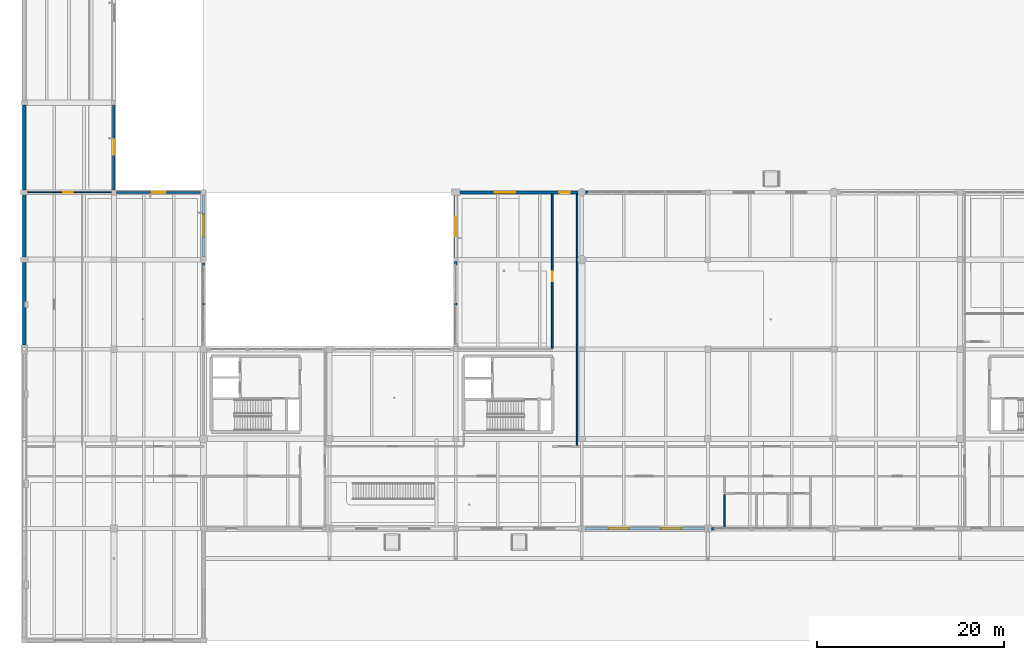
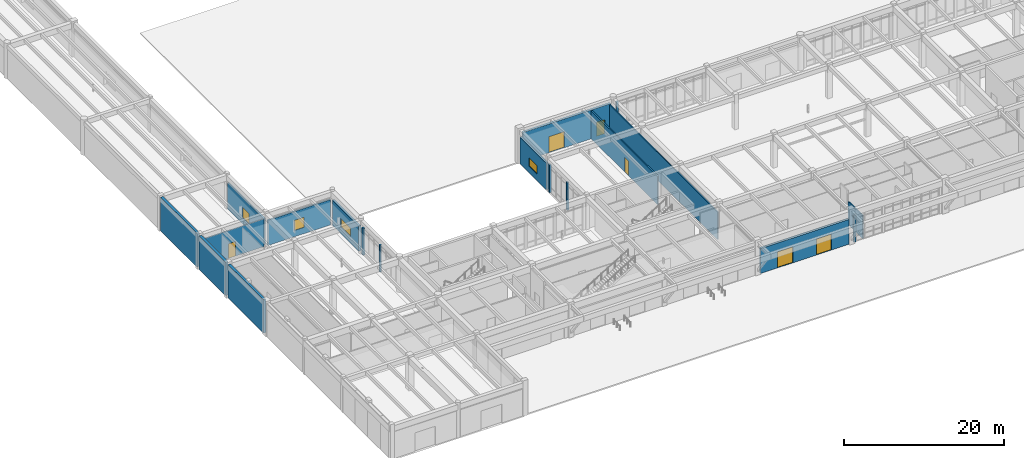
# One storey, part 109 of 138: 19 walls, 6 doors, 4 windows, 10 openings.
"""IFC4 building model written with IfcOpenShell, lengths in metres."""

from ifc_helpers import new_model, si_unit, direction, frame, frame_2d, origin, place, context, subcontext, project, spatial, rectangle, extrude, material, layer, layer_set, type_object, element, fill, save


model = new_model("IFC4")

# Units and contexts
model_context = context("Model", 3, precision=1e-05, world=origin(), true_north=direction((0.0, 1.0)))
body_context = subcontext(model_context, "Body", "Model", "MODEL_VIEW")
ifc_project = project(units=[si_unit("LENGTHUNIT", "METRE"), si_unit("AREAUNIT", "SQUARE_METRE"), si_unit("VOLUMEUNIT", "CUBIC_METRE"), si_unit("PLANEANGLEUNIT", "RADIAN"), si_unit("MASSUNIT", "GRAM", prefix="KILO")], contexts=[model_context])

# Site, building, storey
site_placement = place(None, origin())
site = spatial("IfcSite", under=ifc_project, at=site_placement, CompositionType="ELEMENT")
building_placement = place(site_placement, origin())
building = spatial("IfcBuilding", under=site, at=building_placement, Name="Fikremerkos Civic Library", CompositionType="ELEMENT")
storey_placement = place(building_placement, origin())
storey = spatial("IfcBuildingStorey", under=building, at=storey_placement, Name="L00", CompositionType="ELEMENT", Elevation=0.0)

# Walls
ifc_material_1 = material(Name="Concrete C40/50", Category="concrete")
ifc_layer_1 = layer(ifc_material_1, 0.35009765625, Name="Concrete C40/50")
ifc_layer_set_1 = layer_set([ifc_layer_1], Name="Concrete C40/50")
wall_type_1 = type_object("IfcWallType", Name="Exterior solid wall ESW-01 350", PredefinedType="SOLIDWALL", material=ifc_layer_set_1)
wall_1_placement = place(storey_placement, frame((0.0, 31.64794921875, 0.0), z_axis=(0.0, 0.0, 1.0), x_axis=(0.0, 1.0, 0.0)))
element("IfcWall", 1, at=wall_1_placement, inside=storey, type_object=wall_type_1, Name="Party boundary wall ESW-01 L00 #189", PredefinedType="SOLIDWALL", context=body_context, shape_type="SweptSolid", body=[
    extrude(rectangle(XDim=8.85400390625, YDim=0.35009765625, at=frame_2d((4.427001953125, 0.0))), origin(), (0.0, 0.0, 1.0), 5.10009765625),
])
wall_2_placement = place(storey_placement, frame((0.0, 41.097900390625, 0.0), z_axis=(0.0, 0.0, 1.0), x_axis=(0.0, 1.0, 0.0)))
element("IfcWall", 2, at=wall_2_placement, inside=storey, type_object=wall_type_1, Name="Party boundary wall ESW-01 L00 #190", PredefinedType="SOLIDWALL", context=body_context, shape_type="SweptSolid", body=[
    extrude(rectangle(XDim=6.629150390625, YDim=0.35009765625, at=frame_2d((3.314453125, 0.0))), origin(), (0.0, 0.0, 1.0), 5.10009765625),
])
wall_3_placement = place(storey_placement, frame((0.0, 48.27294921875, 0.0), z_axis=(0.0, 0.0, 1.0), x_axis=(0.0, 1.0, 0.0)))
element("IfcWall", 3, at=wall_3_placement, inside=storey, type_object=wall_type_1, Name="Party boundary wall ESW-01 L00 #191", PredefinedType="SOLIDWALL", context=body_context, shape_type="SweptSolid", body=[
    extrude(rectangle(XDim=9.0791015625, YDim=0.35009765625, at=frame_2d((4.53955078125, 0.0))), origin(), (0.0, 0.0, 1.0), 5.159912109375),
])

# Wall, openings, doors
ifc_material_2 = material(Name="Precast concrete C40/50", Category="concrete")
ifc_layer_2 = layer(ifc_material_2, 0.320068359375, Name="Precast concrete C40/50")
ifc_layer_set_2 = layer_set([ifc_layer_2], Name="Precast concrete C40/50")
wall_type_2 = type_object("IfcWallType", Name="Exterior solid wall ESW-02 320", PredefinedType="SOLIDWALL", material=ifc_layer_set_2)
wall_4_placement = place(storey_placement, frame((72.826904296875, 12.0, 0.0), z_axis=(0.0, 0.0, 1.0), x_axis=(-1.0, 0.0, 0.0)))
wall_4 = element("IfcWall", 4, at=wall_4_placement, inside=storey, type_object=wall_type_2, Name="Exterior ground wall ESW-02 #173", PredefinedType="SOLIDWALL", context=body_context, shape_type="SweptSolid", body=[
    extrude(rectangle(XDim=12.72900390625, YDim=0.320068359375, at=frame_2d((6.364501953125, 0.0))), origin(), (0.0, 0.0, 1.0), 3.7900390625),
])
opening_1_placement = place(wall_4_placement, frame((2.464111328125, 0.0, 0.0)))
opening_1 = element("IfcOpeningElement", 5, at=opening_1_placement, cuts=wall_4, Name="Opening D005", PredefinedType="OPENING", context=body_context, shape_type="SweptSolid", body=[
    extrude(rectangle(XDim=2.199951171875, YDim=2.449951171875, at=frame_2d((1.10009765625, 1.22509765625))), frame((0.0, 0.169921875, 0.0), z_axis=(0.0, -1.0, 0.0), x_axis=(1.0, 0.0, 0.0)), (0.0, 0.0, 1.0), 0.340087890625),
])
opening_2_placement = place(wall_4_placement, frame((8.06494140625, 0.0, 0.0)))
opening_2 = element("IfcOpeningElement", 6, at=opening_2_placement, cuts=wall_4, Name="Opening D006", PredefinedType="OPENING", context=body_context, shape_type="SweptSolid", body=[
    extrude(rectangle(XDim=2.199951171875, YDim=2.449951171875, at=frame_2d((1.10009765625, 1.22509765625))), frame((0.0, 0.169921875, 0.0), z_axis=(0.0, -1.0, 0.0), x_axis=(1.0, 0.0, 0.0)), (0.0, 0.0, 1.0), 0.340087890625),
])
ifc_material_3 = material(Name="Thermally broken bronze aluminium and glass", Category="aluminium")
door_type_1 = type_object("IfcDoorType", Name="Pedestrian door DT-10 2200x2450", OperationType="NOTDEFINED", PredefinedType="DOOR", material=ifc_material_3)
door_1_placement = place(opening_1_placement, origin())
door_1 = element("IfcDoor", 7, at=door_1_placement, inside=storey, type_object=door_type_1, Name="Ground final exit pedestrian door D005", OperationType="SINGLE_SWING_LEFT", OverallHeight=2.449951171875, OverallWidth=2.199951171875, PredefinedType="DOOR", context=body_context, shape_type="SweptSolid", body=[
    extrude(rectangle(XDim=2.199951171875, YDim=2.449951171875, at=frame_2d((1.10009765625, 1.22509765625))), frame((0.0, 0.032470703125, 0.0), z_axis=(0.0, -1.0, 0.0), x_axis=(1.0, 0.0, 0.0)), (0.0, 0.0, 1.0), 0.06494140625),
])
fill(opening_1, door_1)
door_2_placement = place(opening_2_placement, origin())
door_2 = element("IfcDoor", 8, at=door_2_placement, inside=storey, type_object=door_type_1, Name="Ground final exit pedestrian door D006", OperationType="SINGLE_SWING_RIGHT", OverallHeight=2.449951171875, OverallWidth=2.199951171875, PredefinedType="DOOR", context=body_context, shape_type="SweptSolid", body=[
    extrude(rectangle(XDim=2.199951171875, YDim=2.449951171875, at=frame_2d((1.10009765625, 1.22509765625))), frame((0.0, 0.032470703125, 0.0), z_axis=(0.0, -1.0, 0.0), x_axis=(1.0, 0.0, 0.0)), (0.0, 0.0, 1.0), 0.06494140625),
])
fill(opening_2, door_2)

# Wall, opening, window
wall_5_placement = place(storey_placement, frame((19.199951171875, 47.701904296875, 0.0), z_axis=(0.0, 0.0, 1.0), x_axis=(0.0, -1.0, 0.0)))
wall_5 = element("IfcWall", 9, at=wall_5_placement, inside=storey, type_object=wall_type_2, Name="Exterior solid wall ESW-02 L00 #201", PredefinedType="SOLIDWALL", context=body_context, shape_type="SweptSolid", body=[
    extrude(rectangle(XDim=6.553955078125, YDim=0.320068359375, at=frame_2d((3.27685546875, 0.0))), origin(), (0.0, 0.0, 1.0), 3.85009765625),
])
opening_3_placement = place(wall_5_placement, frame((2.076904296875, 0.0, 0.949951171875)))
opening_3 = element("IfcOpeningElement", 10, at=opening_3_placement, cuts=wall_5, Name="Opening CWND-07", PredefinedType="OPENING", context=body_context, shape_type="SweptSolid", body=[
    extrude(rectangle(XDim=2.39990234375, YDim=1.35009765625, at=frame_2d((1.199951171875, 0.675048828125))), frame((0.0, 0.169921875, 0.0), z_axis=(0.0, -1.0, 0.0), x_axis=(1.0, 0.0, 0.0)), (0.0, 0.0, 1.0), 0.340087890625),
])
ifc_material_4 = material(Name="Solar control double glazing", Category="glass")
window_type_1 = type_object("IfcWindowType", Name="Courtyard window CWND-07 2400x1350", PartitioningType="SINGLE_PANEL", PredefinedType="WINDOW", material=ifc_material_4)
window_1_placement = place(opening_3_placement, origin())
window_1 = element("IfcWindow", 11, at=window_1_placement, inside=storey, type_object=window_type_1, Name="Courtyard window CWND-07 L00 #7", OverallHeight=1.35009765625, OverallWidth=2.39990234375, PartitioningType="SINGLE_PANEL", PredefinedType="WINDOW", context=body_context, shape_type="SweptSolid", body=[
    extrude(rectangle(XDim=2.39990234375, YDim=1.35009765625, at=frame_2d((1.199951171875, 0.675048828125))), frame((0.0, 0.032470703125, 0.0), z_axis=(0.0, -1.0, 0.0), x_axis=(1.0, 0.0, 0.0)), (0.0, 0.0, 1.0), 0.06494140625),
])
fill(opening_3, window_1)

wall_6_placement = place(storey_placement, frame((46.199951171875, 41.02294921875, 0.0), z_axis=(0.0, 0.0, 1.0), x_axis=(0.0, 1.0, 0.0)))
wall_6 = element("IfcWall", 12, at=wall_6_placement, inside=storey, type_object=wall_type_2, Name="Exterior solid wall ESW-02 L00 #216", PredefinedType="SOLIDWALL", context=body_context, shape_type="SweptSolid", body=[
    extrude(rectangle(XDim=6.629150390625, YDim=0.320068359375, at=frame_2d((3.314453125, 0.0))), origin(), (0.0, 0.0, 1.0), 4.050048828125),
])
opening_4_placement = place(wall_6_placement, frame((2.264404296875, 0.0, 0.949951171875)))
opening_4 = element("IfcOpeningElement", 13, at=opening_4_placement, cuts=wall_6, Name="Opening CWND-08", PredefinedType="OPENING", context=body_context, shape_type="SweptSolid", body=[
    extrude(rectangle(XDim=2.10009765625, YDim=1.35009765625, at=frame_2d((1.050048828125, 0.675048828125))), frame((0.0, 0.169921875, 0.0), z_axis=(0.0, -1.0, 0.0), x_axis=(1.0, 0.0, 0.0)), (0.0, 0.0, 1.0), 0.340087890625),
])
window_type_2 = type_object("IfcWindowType", Name="Courtyard window CWND-08 2100x1350", PartitioningType="SINGLE_PANEL", PredefinedType="WINDOW", material=ifc_material_4)
window_2_placement = place(opening_4_placement, origin())
window_2 = element("IfcWindow", 14, at=window_2_placement, inside=storey, type_object=window_type_2, Name="Courtyard window CWND-08 L00 #8", OverallHeight=1.35009765625, OverallWidth=2.10009765625, PartitioningType="SINGLE_PANEL", PredefinedType="WINDOW", context=body_context, shape_type="SweptSolid", body=[
    extrude(rectangle(XDim=2.10009765625, YDim=1.35009765625, at=frame_2d((1.050048828125, 0.675048828125))), frame((0.0, 0.032470703125, 0.0), z_axis=(0.0, -1.0, 0.0), x_axis=(1.0, 0.0, 0.0)), (0.0, 0.0, 1.0), 0.06494140625),
])
fill(opening_4, window_2)

# Wall, openings, doors
wall_7_placement = place(storey_placement, frame((46.64794921875, 48.0, 0.0), z_axis=(0.0, 0.0, 1.0), x_axis=(1.0, 0.0, 0.0)))
wall_7 = element("IfcWall", 15, at=wall_7_placement, inside=storey, type_object=wall_type_2, Name="Exterior ground wall ESW-02 #217", PredefinedType="SOLIDWALL", context=body_context, shape_type="SweptSolid", body=[
    extrude(rectangle(XDim=12.654052734375, YDim=0.320068359375, at=frame_2d((6.3271484375, 0.0))), origin(), (0.0, 0.0, 1.0), 4.389892578125),
])
opening_5_placement = place(wall_7_placement, frame((3.751953125, 0.0, 0.0)))
opening_5 = element("IfcOpeningElement", 16, at=opening_5_placement, cuts=wall_7, Name="Opening D013", PredefinedType="OPENING", context=body_context, shape_type="SweptSolid", body=[
    extrude(rectangle(XDim=2.199951171875, YDim=2.449951171875, at=frame_2d((1.10009765625, 1.22509765625))), frame((0.0, 0.169921875, 0.0), z_axis=(0.0, -1.0, 0.0), x_axis=(1.0, 0.0, 0.0)), (0.0, 0.0, 1.0), 0.340087890625),
])
opening_6_placement = place(wall_7_placement, frame((10.656982421875, 0.0, 0.0)))
opening_6 = element("IfcOpeningElement", 17, at=opening_6_placement, cuts=wall_7, Name="Opening D014", PredefinedType="OPENING", context=body_context, shape_type="SweptSolid", body=[
    extrude(rectangle(XDim=1.14990234375, YDim=2.14990234375, at=frame_2d((0.574951171875, 1.074951171875))), frame((0.0, 0.169921875, 0.0), z_axis=(0.0, -1.0, 0.0), x_axis=(1.0, 0.0, 0.0)), (0.0, 0.0, 1.0), 0.340087890625),
])
door_3_placement = place(opening_5_placement, origin())
door_3 = element("IfcDoor", 18, at=door_3_placement, inside=storey, type_object=door_type_1, Name="Ground final exit pedestrian door D013", OperationType="SINGLE_SWING_LEFT", OverallHeight=2.449951171875, OverallWidth=2.199951171875, PredefinedType="DOOR", context=body_context, shape_type="SweptSolid", body=[
    extrude(rectangle(XDim=2.199951171875, YDim=2.449951171875, at=frame_2d((1.10009765625, 1.22509765625))), frame((0.0, 0.032470703125, 0.0), z_axis=(0.0, -1.0, 0.0), x_axis=(1.0, 0.0, 0.0)), (0.0, 0.0, 1.0), 0.06494140625),
])
fill(opening_5, door_3)
door_type_2 = type_object("IfcDoorType", Name="Pedestrian door DT-14 1150x2150", OperationType="NOTDEFINED", PredefinedType="DOOR", material=ifc_material_3)
door_4_placement = place(opening_6_placement, origin())
door_4 = element("IfcDoor", 19, at=door_4_placement, inside=storey, type_object=door_type_2, Name="Core K3 final exit discharge door D014", OperationType="SINGLE_SWING_RIGHT", OverallHeight=2.14990234375, OverallWidth=1.14990234375, PredefinedType="DOOR", context=body_context, shape_type="SweptSolid", body=[
    extrude(rectangle(XDim=1.14990234375, YDim=2.14990234375, at=frame_2d((0.574951171875, 1.074951171875))), frame((0.0, 0.032470703125, 0.0), z_axis=(0.0, -1.0, 0.0), x_axis=(1.0, 0.0, 0.0)), (0.0, 0.0, 1.0), 0.06494140625),
])
fill(opening_6, door_4)

# Wall
ifc_layer_3 = layer(ifc_material_2, 0.25, Name="Precast concrete C40/50")
ifc_layer_set_3 = layer_set([ifc_layer_3], Name="Precast concrete C40/50")
wall_type_3 = type_object("IfcWallType", Name="Exterior solid wall ESW-05 250", PredefinedType="SOLIDWALL", material=ifc_layer_set_3)
wall_8_placement = place(storey_placement, frame((73.923095703125, 12.0, 0.0), z_axis=(0.0, 0.0, 1.0), x_axis=(-1.0, 0.0, 0.0)))
element("IfcWall", 20, at=wall_8_placement, inside=storey, type_object=wall_type_3, Name="Exterior facade pier ESW-05 #170", PredefinedType="SOLIDWALL", context=body_context, shape_type="SweptSolid", body=[
    extrude(rectangle(XDim=0.35009765625, YDim=0.25, at=frame_2d((0.175048828125, 0.0))), origin(), (0.0, 0.0, 1.0), 4.1201171875),
])

# Wall, opening, window
wall_9_placement = place(storey_placement, frame((9.60009765625, 57.35205078125, 0.0), z_axis=(0.0, 0.0, 1.0), x_axis=(0.0, -1.0, 0.0)))
wall_9 = element("IfcWall", 21, at=wall_9_placement, inside=storey, type_object=wall_type_3, Name="Exterior solid wall ESW-05 L00 #199", PredefinedType="SOLIDWALL", context=body_context, shape_type="SweptSolid", body=[
    extrude(rectangle(XDim=9.0791015625, YDim=0.25, at=frame_2d((4.53955078125, 0.0))), origin(), (0.0, 0.0, 1.0), 3.949951171875),
])
opening_7_placement = place(wall_9_placement, frame((3.739501953125, 0.0, 0.949951171875)))
opening_7 = element("IfcOpeningElement", 22, at=opening_7_placement, cuts=wall_9, Name="Opening CWND-05", PredefinedType="OPENING", context=body_context, shape_type="SweptSolid", body=[
    extrude(rectangle(XDim=1.60009765625, YDim=1.550048828125, at=frame_2d((0.800048828125, 0.77490234375))), frame((0.0, 0.135009765625, 0.0), z_axis=(0.0, -1.0, 0.0), x_axis=(1.0, 0.0, 0.0)), (0.0, 0.0, 1.0), 0.27001953125),
])
window_type_3 = type_object("IfcWindowType", Name="Courtyard window CWND-05 1600x1550", PartitioningType="SINGLE_PANEL", PredefinedType="WINDOW", material=ifc_material_4)
window_3_placement = place(opening_7_placement, origin())
window_3 = element("IfcWindow", 23, at=window_3_placement, inside=storey, type_object=window_type_3, Name="Courtyard window CWND-05 L00 #5", OverallHeight=1.550048828125, OverallWidth=1.60009765625, PartitioningType="SINGLE_PANEL", PredefinedType="WINDOW", context=body_context, shape_type="SweptSolid", body=[
    extrude(rectangle(XDim=1.60009765625, YDim=1.550048828125, at=frame_2d((0.800048828125, 0.77490234375))), frame((0.0, 0.032470703125, 0.0), z_axis=(0.0, -1.0, 0.0), x_axis=(1.0, 0.0, 0.0)), (0.0, 0.0, 1.0), 0.06494140625),
])
fill(opening_7, window_3)

# Walls
wall_10_placement = place(storey_placement, frame((19.199951171875, 40.451904296875, 0.0), z_axis=(0.0, 0.0, 1.0), x_axis=(0.0, -1.0, 0.0)))
element("IfcWall", 24, at=wall_10_placement, inside=storey, type_object=wall_type_3, Name="Exterior facade pier ESW-05 #202", PredefinedType="SOLIDWALL", context=body_context, shape_type="SweptSolid", body=[
    extrude(rectangle(XDim=0.349853515625, YDim=0.25, at=frame_2d((0.1748046875, 0.0))), origin(), (0.0, 0.0, 1.0), 4.070068359375),
])
wall_11_placement = place(storey_placement, frame((19.199951171875, 36.175048828125, 0.0), z_axis=(0.0, 0.0, 1.0), x_axis=(0.0, -1.0, 0.0)))
element("IfcWall", 25, at=wall_11_placement, inside=storey, type_object=wall_type_3, Name="Exterior facade mullion pier ESW-05 #204", PredefinedType="SOLIDWALL", context=body_context, shape_type="SweptSolid", body=[
    extrude(rectangle(XDim=0.300048828125, YDim=0.25, at=frame_2d((0.14990234375, 0.0))), origin(), (0.0, 0.0, 1.0), 4.070068359375),
])
wall_12_placement = place(storey_placement, frame((46.199951171875, 40.22705078125, 0.0), z_axis=(0.0, 0.0, 1.0), x_axis=(0.0, 1.0, 0.0)))
element("IfcWall", 26, at=wall_12_placement, inside=storey, type_object=wall_type_3, Name="Exterior facade pier ESW-05 #214", PredefinedType="SOLIDWALL", context=body_context, shape_type="SweptSolid", body=[
    extrude(rectangle(XDim=0.349853515625, YDim=0.25, at=frame_2d((0.1748046875, 0.0))), origin(), (0.0, 0.0, 1.0), 4.219970703125),
])
wall_13_placement = place(storey_placement, frame((46.199951171875, 35.862548828125, 0.0), z_axis=(0.0, 0.0, 1.0), x_axis=(0.0, 1.0, 0.0)))
element("IfcWall", 27, at=wall_13_placement, inside=storey, type_object=wall_type_3, Name="Exterior facade mullion pier ESW-05 #215", PredefinedType="SOLIDWALL", context=body_context, shape_type="SweptSolid", body=[
    extrude(rectangle(XDim=0.300048828125, YDim=0.25, at=frame_2d((0.14990234375, 0.0))), origin(), (0.0, 0.0, 1.0), 4.219970703125),
])
wall_14_placement = place(storey_placement, frame((60.097900390625, 48.0, 0.0), z_axis=(0.0, 0.0, 1.0), x_axis=(1.0, 0.0, 0.0)))
element("IfcWall", 28, at=wall_14_placement, inside=storey, type_object=wall_type_3, Name="Exterior facade pier ESW-05 #218", PredefinedType="SOLIDWALL", context=body_context, shape_type="SweptSolid", body=[
    extrude(rectangle(XDim=0.35009765625, YDim=0.25, at=frame_2d((0.175048828125, 0.0))), origin(), (0.0, 0.0, 1.0), 4.2900390625),
])

# Wall, opening, window
ifc_layer_4 = layer(ifc_material_2, 0.219970703125, Name="Precast concrete C40/50")
ifc_layer_set_4 = layer_set([ifc_layer_4], Name="Precast concrete C40/50")
wall_type_4 = type_object("IfcWallType", Name="Exterior solid wall ESW-06 220", PredefinedType="SOLIDWALL", material=ifc_layer_set_4)
wall_15_placement = place(storey_placement, frame((9.873046875, 48.0, 0.0), z_axis=(0.0, 0.0, 1.0), x_axis=(1.0, 0.0, 0.0)))
wall_15 = element("IfcWall", 29, at=wall_15_placement, inside=storey, type_object=wall_type_4, Name="Exterior solid wall ESW-06 L00 #200", PredefinedType="SOLIDWALL", context=body_context, shape_type="SweptSolid", body=[
    extrude(rectangle(XDim=9.029052734375, YDim=0.219970703125, at=frame_2d((4.5146484375, 0.0))), origin(), (0.0, 0.0, 1.0), 3.85009765625),
])
opening_8_placement = place(wall_15_placement, frame((3.814453125, 0.0, 0.949951171875)))
opening_8 = element("IfcOpeningElement", 30, at=opening_8_placement, cuts=wall_15, Name="Opening CWND-06", PredefinedType="OPENING", context=body_context, shape_type="SweptSolid", body=[
    extrude(rectangle(XDim=1.39990234375, YDim=1.550048828125, at=frame_2d((0.699951171875, 0.77490234375))), frame((0.0, 0.119873046875, 0.0), z_axis=(0.0, -1.0, 0.0), x_axis=(1.0, 0.0, 0.0)), (0.0, 0.0, 1.0), 0.239990234375),
])
window_type_4 = type_object("IfcWindowType", Name="Courtyard window CWND-06 1400x1550", PartitioningType="SINGLE_PANEL", PredefinedType="WINDOW", material=ifc_material_4)
window_4_placement = place(opening_8_placement, origin())
window_4 = element("IfcWindow", 31, at=window_4_placement, inside=storey, type_object=window_type_4, Name="Courtyard window CWND-06 L00 #6", OverallHeight=1.550048828125, OverallWidth=1.39990234375, PartitioningType="SINGLE_PANEL", PredefinedType="WINDOW", context=body_context, shape_type="SweptSolid", body=[
    extrude(rectangle(XDim=1.39990234375, YDim=1.550048828125, at=frame_2d((0.699951171875, 0.77490234375))), frame((0.0, 0.032470703125, 0.0), z_axis=(0.0, -1.0, 0.0), x_axis=(1.0, 0.0, 0.0)), (0.0, 0.0, 1.0), 0.06494140625),
])
fill(opening_8, window_4)

# Wall, opening, door
ifc_material_5 = material(Name="Acoustic concrete blockwork", Category="masonry")
ifc_layer_5 = layer(ifc_material_5, 0.18994140625, Name="Acoustic concrete blockwork")
ifc_layer_set_5 = layer_set([ifc_layer_5], Name="Acoustic concrete blockwork")
wall_type_5 = type_object("IfcWallType", Name="Interior partition wall IPW-01 190", PredefinedType="PARTITIONING", material=ifc_layer_set_5)
wall_16_placement = place(storey_placement, frame((56.550048828125, 31.304931640625, 0.0), z_axis=(0.0, 0.0, 1.0), x_axis=(0.0, 1.0, 0.0)))
wall_16 = element("IfcWall", 32, at=wall_16_placement, inside=storey, type_object=wall_type_5, Name="Interior wall IPW-01 L00 #124", PredefinedType="PARTITIONING", context=body_context, shape_type="SweptSolid", body=[
    extrude(rectangle(XDim=16.531982421875, YDim=0.18994140625, at=frame_2d((8.26611328125, 0.0))), origin(), (0.0, 0.0, 1.0), 4.27001953125),
])
opening_9_placement = place(wall_16_placement, frame((7.195068359375, 0.0, 0.0)))
opening_9 = element("IfcOpeningElement", 33, at=opening_9_placement, cuts=wall_16, Name="Opening D171", PredefinedType="OPENING", context=body_context, shape_type="SweptSolid", body=[
    extrude(rectangle(XDim=1.0, YDim=2.199951171875, at=frame_2d((0.5, 1.10009765625))), frame((0.0, 0.10498046875, 0.0), z_axis=(0.0, -1.0, 0.0), x_axis=(1.0, 0.0, 0.0)), (0.0, 0.0, 1.0), 0.2099609375),
])
ifc_material_6 = material(Name="Hardwood timber and acoustic glass", Category="wood")
door_type_3 = type_object("IfcDoorType", Name="Pedestrian door DT-01 1000x2200", OperationType="NOTDEFINED", PredefinedType="DOOR", material=ifc_material_6)
door_5_placement = place(opening_9_placement, origin())
door_5 = element("IfcDoor", 34, at=door_5_placement, inside=storey, type_object=door_type_3, Name="Interior door D171 L00", OperationType="SINGLE_SWING_LEFT", OverallHeight=2.199951171875, OverallWidth=1.0, PredefinedType="DOOR", context=body_context, shape_type="SweptSolid", body=[
    extrude(rectangle(XDim=1.0, YDim=2.199951171875, at=frame_2d((0.5, 1.10009765625))), frame((0.0, 0.032470703125, 0.0), z_axis=(0.0, -1.0, 0.0), x_axis=(1.0, 0.0, 0.0)), (0.0, 0.0, 1.0), 0.06494140625),
])
fill(opening_9, door_5)

# Wall
ifc_material_7 = material(Name="Acoustic gypsum stud partition")
ifc_layer_6 = layer(ifc_material_7, 0.14990234375, Name="Acoustic gypsum stud partition")
ifc_layer_set_6 = layer_set([ifc_layer_6], Name="Acoustic gypsum stud partition")
wall_type_6 = type_object("IfcWallType", Name="Interior partition wall IPW-02 150", PredefinedType="PARTITIONING", material=ifc_layer_set_6)
wall_17_placement = place(storey_placement, frame((59.199951171875, 20.905029296875, 0.0), z_axis=(0.0, 0.0, 1.0), x_axis=(0.0, 1.0, 0.0)))
element("IfcWall", 35, at=wall_17_placement, inside=storey, type_object=wall_type_6, Name="Interior wall IPW-02 L00 #125", PredefinedType="PARTITIONING", context=body_context, shape_type="SweptSolid", body=[
    extrude(rectangle(XDim=26.931884765625, YDim=0.14990234375, at=frame_2d((13.4658203125, 0.0))), origin(), (0.0, 0.0, 1.0), 4.219970703125),
])

# Wall, opening, door
ifc_material_8 = material(Name="Lightweight metal stud partition")
ifc_layer_7 = layer(ifc_material_8, 0.110107421875, Name="Lightweight metal stud partition")
ifc_layer_set_7 = layer_set([ifc_layer_7], Name="Lightweight metal stud partition")
wall_type_7 = type_object("IfcWallType", Name="Interior partition wall IPW-04 110", PredefinedType="PARTITIONING", material=ifc_layer_set_7)
wall_18_placement = place(storey_placement, frame((0.3779296875, 48.0, 0.0), z_axis=(0.0, 0.0, 1.0), x_axis=(1.0, 0.0, 0.0)))
wall_18 = element("IfcWall", 36, at=wall_18_placement, inside=storey, type_object=wall_type_7, Name="Interior wall IPW-04 L00 #99", PredefinedType="PARTITIONING", context=body_context, shape_type="SweptSolid", body=[
    extrude(rectangle(XDim=8.944091796875, YDim=0.110107421875, at=frame_2d((4.47216796875, 0.0))), origin(), (0.0, 0.0, 1.0), 4.239990234375),
])
opening_10_placement = place(wall_18_placement, frame((3.822021484375, 0.0, 0.0)))
opening_10 = element("IfcOpeningElement", 37, at=opening_10_placement, cuts=wall_18, Name="Opening D176", PredefinedType="OPENING", context=body_context, shape_type="SweptSolid", body=[
    extrude(rectangle(XDim=1.0, YDim=2.199951171875, at=frame_2d((0.5, 1.10009765625))), frame((0.0, 0.06494140625, 0.0), z_axis=(0.0, -1.0, 0.0), x_axis=(1.0, 0.0, 0.0)), (0.0, 0.0, 1.0), 0.130126953125),
])
door_6_placement = place(opening_10_placement, origin())
door_6 = element("IfcDoor", 38, at=door_6_placement, inside=storey, type_object=door_type_3, Name="Interior door D176 L00", OperationType="SINGLE_SWING_LEFT", OverallHeight=2.199951171875, OverallWidth=1.0, PredefinedType="DOOR", context=body_context, shape_type="SweptSolid", body=[
    extrude(rectangle(XDim=1.0, YDim=2.199951171875, at=frame_2d((0.5, 1.10009765625))), frame((0.0, 0.032470703125, 0.0), z_axis=(0.0, -1.0, 0.0), x_axis=(1.0, 0.0, 0.0)), (0.0, 0.0, 1.0), 0.06494140625),
])
fill(opening_10, door_6)

# Wall
ifc_material_9 = material(Name="Aerated concrete blockwork", Category="masonry")
ifc_layer_8 = layer(ifc_material_9, 0.159912109375, Name="Aerated concrete blockwork")
ifc_layer_set_8 = layer_set([ifc_layer_8], Name="Aerated concrete blockwork")
wall_type_8 = type_object("IfcWallType", Name="Service duct wall SDW-02 160", PredefinedType="PLUMBINGWALL", material=ifc_layer_set_8)
wall_19_placement = place(storey_placement, frame((75.0, 12.0830078125, 0.0), z_axis=(0.0, 0.0, 1.0), x_axis=(0.0, 1.0, 0.0)))
element("IfcWall", 39, at=wall_19_placement, inside=storey, type_object=wall_type_8, Name="Interior wall SDW-02 L00 #75", PredefinedType="PLUMBINGWALL", context=body_context, shape_type="SweptSolid", body=[
    extrude(rectangle(XDim=3.56201171875, YDim=0.159912109375, at=frame_2d((1.781005859375, 0.0))), origin(), (0.0, 0.0, 1.0), 3.492431640625),
])

save(model, "model.ifc")
